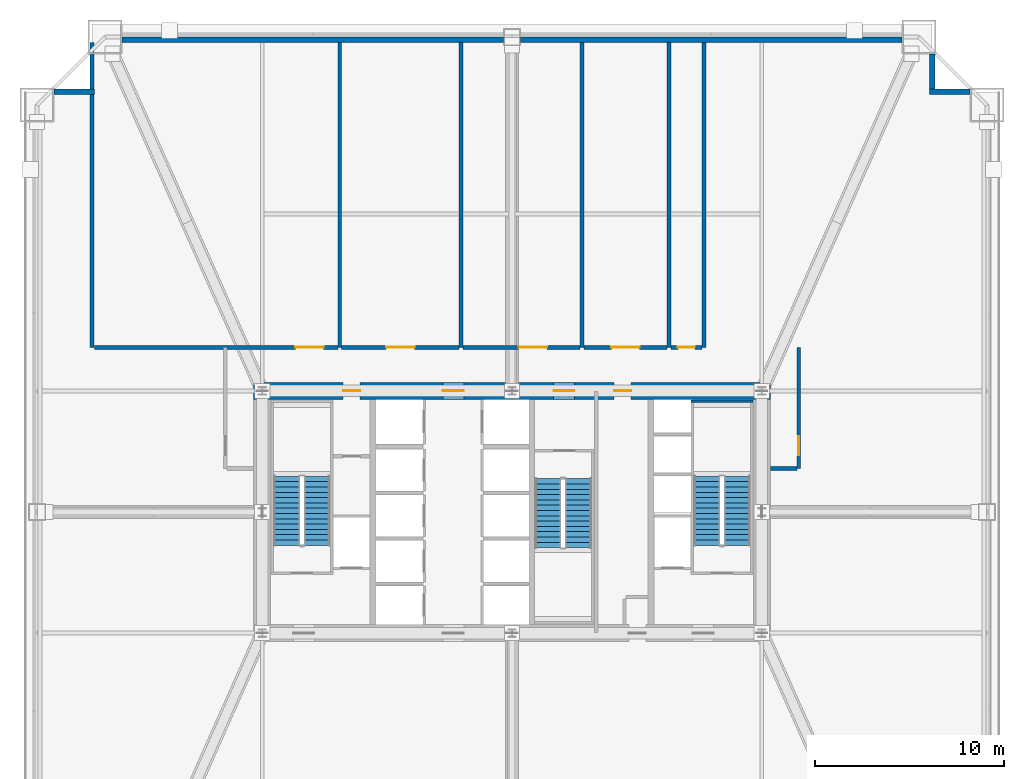
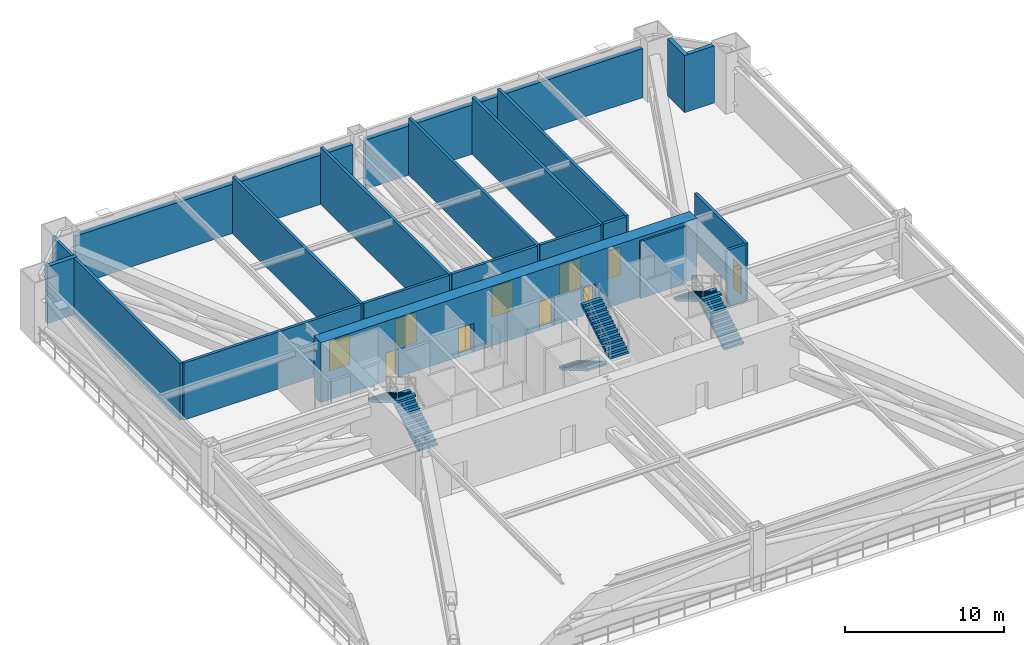
# One storey, part 6 of 11: 20 walls, 10 doors, 6 stair flights, 10 openings, 3 elements without a shape of their own.
"""IFC4 building model written with IfcOpenShell, lengths in metres."""

from ifc_helpers import new_model, si_unit, direction, frame, frame_2d, origin, place, context, subcontext, project, spatial, polyline, rectangle, outline, extrude, source, transform, mapped, material, layer, layer_set, type_object, element, fill, aggregate, save


model = new_model("IFC4")

# Units and contexts
model_context = context("Model", 3, precision=1e-05, world=origin(), true_north=direction((0.0, 1.0)))
body_context = subcontext(model_context, "Body", "Model", "MODEL_VIEW")
ifc_project = project(units=[si_unit("LENGTHUNIT", "METRE"), si_unit("AREAUNIT", "SQUARE_METRE"), si_unit("VOLUMEUNIT", "CUBIC_METRE"), si_unit("PLANEANGLEUNIT", "RADIAN"), si_unit("MASSUNIT", "GRAM", prefix="KILO"), si_unit("THERMODYNAMICTEMPERATUREUNIT", "KELVIN"), si_unit("POWERUNIT", "WATT")], contexts=[model_context])

# Site, building, storey
site_placement = place(None, origin())
site = spatial("IfcSite", under=ifc_project, at=site_placement, CompositionType="ELEMENT")
building_placement = place(site_placement, origin())
building = spatial("IfcBuilding", under=site, at=building_placement, Name="Yuzanri Waterfront Tower", CompositionType="ELEMENT")
storey_placement = place(building_placement, frame((0.0, 0.0, 41.39990234375)))
storey = spatial("IfcBuildingStorey", under=building, at=storey_placement, Name="L10", CompositionType="ELEMENT", Elevation=41.39990234375)

# Wall, openings, doors
ifc_material_1 = material(Name="Concrete C60", Category="concrete")
ifc_layer_1 = layer(ifc_material_1, 0.89990234375)
ifc_layer_set_1 = layer_set([ifc_layer_1], Name="Concrete C60")
wall_type_1 = type_object("IfcWallType", Name="Concrete C60 Lower Zone Core Shear Wall 900", PredefinedType="SHEAR", material=ifc_layer_set_1)
wall_1_placement = place(storey_placement, frame((23.35009765625, 32.199951171875, 0.0), z_axis=(0.0, 0.0, 1.0), x_axis=(1.0, 0.0, 0.0)))
wall_1 = element("IfcWall", 1, at=wall_1_placement, inside=storey, type_object=wall_type_1, Name="L10 Core North Shear Wall", PredefinedType="SHEAR", context=body_context, shape_type="SweptSolid", body=[
    extrude(rectangle(XDim=27.2998046875, YDim=0.89990234375, at=frame_2d((13.64990234375, 0.0))), origin(), (0.0, 0.0, 1.0), 4.60009765625),
])
opening_1_placement = place(wall_1_placement, frame((4.719970703125, 0.0, 0.0)))
opening_1 = element("IfcOpeningElement", 2, at=opening_1_placement, cuts=wall_1, Name="Opening FD-0900", PredefinedType="OPENING", context=body_context, shape_type="SweptSolid", body=[
    extrude(rectangle(XDim=0.89990234375, YDim=2.14990234375, at=frame_2d((0.449951171875, 1.074951171875))), frame((0.0, 0.46484375, 0.0), z_axis=(0.0, -1.0, 0.0), x_axis=(1.0, 0.0, 0.0)), (0.0, 0.0, 1.0), 0.9296875),
])
opening_2_placement = place(wall_1_placement, frame((10.0, 0.0, 0.0)))
opening_2 = element("IfcOpeningElement", 3, at=opening_2_placement, cuts=wall_1, Name="Opening FD-1100", PredefinedType="OPENING", context=body_context, shape_type="SweptSolid", body=[
    extrude(rectangle(XDim=1.10009765625, YDim=2.199951171875, at=frame_2d((0.550048828125, 1.10009765625))), frame((0.0, 0.46484375, 0.0), z_axis=(0.0, -1.0, 0.0), x_axis=(1.0, 0.0, 0.0)), (0.0, 0.0, 1.0), 0.9296875),
])
opening_3_placement = place(wall_1_placement, frame((15.85009765625, 0.0, 0.0)))
opening_3 = element("IfcOpeningElement", 4, at=opening_3_placement, cuts=wall_1, Name="Opening FD-1100", PredefinedType="OPENING", context=body_context, shape_type="SweptSolid", body=[
    extrude(rectangle(XDim=1.10009765625, YDim=2.199951171875, at=frame_2d((0.550048828125, 1.10009765625))), frame((0.0, 0.46484375, 0.0), z_axis=(0.0, -1.0, 0.0), x_axis=(1.0, 0.0, 0.0)), (0.0, 0.0, 1.0), 0.9296875),
])
opening_4_placement = place(wall_1_placement, frame((19.050048828125, 0.0, 0.0)))
opening_4 = element("IfcOpeningElement", 5, at=opening_4_placement, cuts=wall_1, Name="Opening FD-0900", PredefinedType="OPENING", context=body_context, shape_type="SweptSolid", body=[
    extrude(rectangle(XDim=0.89990234375, YDim=2.14990234375, at=frame_2d((0.449951171875, 1.074951171875))), frame((0.0, 0.46484375, 0.0), z_axis=(0.0, -1.0, 0.0), x_axis=(1.0, 0.0, 0.0)), (0.0, 0.0, 1.0), 0.9296875),
])
ifc_material_2 = material(Name="Painted Galvanized Fire Steel", Category="steel")
door_type_1 = type_object("IfcDoorType", Name="Smoke-Proof Stair and Lobby Fire Door 1100x2200", OperationType="NOTDEFINED", PredefinedType="DOOR", material=ifc_material_2)
shared_shape_1 = source(origin(), body_context, "Body", "SweptSolid", [
    extrude(rectangle(XDim=1.10009765625, YDim=2.199951171875, at=frame_2d((0.550048828125, 1.10009765625))), frame((0.0, 0.02490234375, 0.0), z_axis=(0.0, -1.0, 0.0), x_axis=(1.0, 0.0, 0.0)), (0.0, 0.0, 1.0), 0.050048828125),
])
door_1_placement = place(opening_2_placement, origin())
door_1 = element("IfcDoor", 6, at=door_1_placement, inside=storey, type_object=door_type_1, Name="L10 Central Lift Lobby North Door", OperationType="SINGLE_SWING_LEFT", OverallHeight=2.199951171875, OverallWidth=1.10009765625, PredefinedType="DOOR", context=body_context, shape_type="MappedRepresentation", body=[
    mapped(shared_shape_1, transform((0.0, 0.0, 0.0), scale=1.0)),
])
fill(opening_2, door_1)
door_2_placement = place(opening_3_placement, origin())
door_2 = element("IfcDoor", 7, at=door_2_placement, inside=storey, type_object=door_type_1, Name="L10 North Stair Lobby Door", OperationType="SINGLE_SWING_RIGHT", OverallHeight=2.199951171875, OverallWidth=1.10009765625, PredefinedType="DOOR", context=body_context, shape_type="MappedRepresentation", body=[
    mapped(shared_shape_1, transform((0.0, 0.0, 0.0), scale=1.0)),
])
fill(opening_3, door_2)
ifc_material_3 = material(Name="Painted Galvanized Fire Steel", Category="steel")
door_type_2 = type_object("IfcDoorType", Name="Riser and Service Room Fire Door 900x2150", OperationType="NOTDEFINED", PredefinedType="DOOR", material=ifc_material_3)
shared_shape_2 = source(origin(), body_context, "Body", "SweptSolid", [
    extrude(rectangle(XDim=0.89990234375, YDim=2.14990234375, at=frame_2d((0.449951171875, 1.074951171875))), frame((0.0, 0.02490234375, 0.0), z_axis=(0.0, -1.0, 0.0), x_axis=(1.0, 0.0, 0.0)), (0.0, 0.0, 1.0), 0.050048828125),
])
door_3_placement = place(opening_1_placement, origin())
door_3 = element("IfcDoor", 8, at=door_3_placement, inside=storey, type_object=door_type_2, Name="L10 Telecom Riser Door", OperationType="SINGLE_SWING_RIGHT", OverallHeight=2.14990234375, OverallWidth=0.89990234375, PredefinedType="DOOR", context=body_context, shape_type="MappedRepresentation", body=[
    mapped(shared_shape_2, transform((0.0, 0.0, 0.0), scale=1.0)),
])
fill(opening_1, door_3)
door_4_placement = place(opening_4_placement, origin())
door_4 = element("IfcDoor", 9, at=door_4_placement, inside=storey, type_object=door_type_2, Name="L10 Refuge Mechanical Equipment Store Room", OperationType="SINGLE_SWING_LEFT", OverallHeight=2.14990234375, OverallWidth=0.89990234375, PredefinedType="DOOR", context=body_context, shape_type="MappedRepresentation", body=[
    mapped(shared_shape_2, transform((0.0, 0.0, 0.0), scale=1.0)),
])
fill(opening_4, door_4)

# Wall, opening, door
ifc_material_4 = material(Name="Autoclaved Aerated Concrete Blockwork", Category="masonry")
ifc_layer_2 = layer(ifc_material_4, 0.199951171875)
ifc_layer_set_2 = layer_set([ifc_layer_2], Name="Autoclaved Aerated Concrete Blockwork")
wall_type_2 = type_object("IfcWallType", Name="Corridor and Unit Party Fire Wall 200", PredefinedType="PARTITIONING", material=ifc_layer_set_2)
wall_2_placement = place(storey_placement, frame((52.14990234375, 28.10009765625, 0.0), z_axis=(0.0, 0.0, 1.0), x_axis=(0.0, 1.0, 0.0)))
wall_2 = element("IfcWall", 10, at=wall_2_placement, inside=storey, type_object=wall_type_2, Name="L10 Partition RFW-L10-CE", PredefinedType="PARTITIONING", context=body_context, shape_type="SweptSolid", body=[
    extrude(rectangle(XDim=6.39990234375, YDim=0.199951171875, at=frame_2d((3.199951171875, 0.0))), origin(), (0.0, 0.0, 1.0), 4.380126953125),
])
opening_5_placement = place(wall_2_placement, frame((0.699951171875, 0.0, 0.0)))
opening_5 = element("IfcOpeningElement", 11, at=opening_5_placement, cuts=wall_2, Name="Opening TD-1000", PredefinedType="OPENING", context=body_context, shape_type="SweptSolid", body=[
    extrude(rectangle(XDim=1.0, YDim=2.199951171875, at=frame_2d((0.5, 1.10009765625))), frame((0.0, 0.11474609375, 0.0), z_axis=(0.0, -1.0, 0.0), x_axis=(1.0, 0.0, 0.0)), (0.0, 0.0, 1.0), 0.229736328125),
])
ifc_material_5 = material(Name="Anodized Architectural Bronze", Category="metal")
door_type_3 = type_object("IfcDoorType", Name="Anodized Bronze Refuge Deck Weatherproof Exit Door 1000x2200", OperationType="NOTDEFINED", PredefinedType="DOOR", material=ifc_material_5)
shared_shape_3 = source(origin(), body_context, "Body", "SweptSolid", [
    extrude(rectangle(XDim=1.0, YDim=2.199951171875, at=frame_2d((0.5, 1.10009765625))), frame((0.0, 0.02490234375, 0.0), z_axis=(0.0, -1.0, 0.0), x_axis=(1.0, 0.0, 0.0)), (0.0, 0.0, 1.0), 0.050048828125),
])
door_5_placement = place(opening_5_placement, origin())
door_5 = element("IfcDoor", 12, at=door_5_placement, inside=storey, type_object=door_type_3, Name="L10 East Refuge Deck Exit Door", OperationType="SINGLE_SWING_LEFT", OverallHeight=2.199951171875, OverallWidth=1.0, PredefinedType="DOOR", context=body_context, shape_type="MappedRepresentation", body=[
    mapped(shared_shape_3, transform((0.0, 0.0, 0.0), scale=1.0)),
])
fill(opening_5, door_5)

wall_3_placement = place(storey_placement, frame((14.93994140625, 34.5, 0.0), z_axis=(0.0, 0.0, 1.0), x_axis=(1.0, 0.0, 0.0)))
wall_3 = element("IfcWall", 13, at=wall_3_placement, inside=storey, type_object=wall_type_2, Name="L10 Partition RFW-L10-016-S", PredefinedType="PARTITIONING", context=body_context, shape_type="SweptSolid", body=[
    extrude(rectangle(XDim=12.860107421875, YDim=0.199951171875, at=frame_2d((6.43017578125, 0.0))), origin(), (0.0, 0.0, 1.0), 4.380126953125),
])
opening_6_placement = place(wall_3_placement, frame((10.610107421875, 0.0, 0.0)))
opening_6 = element("IfcOpeningElement", 14, at=opening_6_placement, cuts=wall_3, Name="Opening FD-1500", PredefinedType="OPENING", context=body_context, shape_type="SweptSolid", body=[
    extrude(rectangle(XDim=1.5, YDim=2.300048828125, at=frame_2d((0.75, 1.14990234375))), frame((0.0, 0.11474609375, 0.0), z_axis=(0.0, -1.0, 0.0), x_axis=(1.0, 0.0, 0.0)), (0.0, 0.0, 1.0), 0.229736328125),
])
ifc_material_6 = material(Name="Painted Galvanized Fire Steel", Category="steel")
door_type_4 = type_object("IfcDoorType", Name="Plant and Ballroom Double Fire Door 1500x2300", OperationType="NOTDEFINED", PredefinedType="DOOR", material=ifc_material_6)
shared_shape_4 = source(origin(), body_context, "Body", "SweptSolid", [
    extrude(rectangle(XDim=1.5, YDim=2.300048828125, at=frame_2d((0.75, 1.14990234375))), frame((0.0, 0.02490234375, 0.0), z_axis=(0.0, -1.0, 0.0), x_axis=(1.0, 0.0, 0.0)), (0.0, 0.0, 1.0), 0.050048828125),
])
door_6_placement = place(opening_6_placement, origin())
door_6 = element("IfcDoor", 15, at=door_6_placement, inside=storey, type_object=door_type_4, Name="L10 Air-Handling Plant Room", OperationType="DOUBLE_DOOR_SINGLE_SWING", OverallHeight=2.300048828125, OverallWidth=1.5, PredefinedType="DOOR", context=body_context, shape_type="MappedRepresentation", body=[
    mapped(shared_shape_4, transform((0.0, 0.0, 0.0), scale=1.0)),
])
fill(opening_6, door_6)

wall_4_placement = place(storey_placement, frame((28.0, 34.5, 0.0), z_axis=(0.0, 0.0, 1.0), x_axis=(1.0, 0.0, 0.0)))
wall_4 = element("IfcWall", 16, at=wall_4_placement, inside=storey, type_object=wall_type_2, Name="L10 Partition RFW-L10-017-S", PredefinedType="PARTITIONING", context=body_context, shape_type="SweptSolid", body=[
    extrude(rectangle(XDim=6.199951171875, YDim=0.199951171875, at=frame_2d((3.10009765625, 0.0))), origin(), (0.0, 0.0, 1.0), 4.380126953125),
])
opening_7_placement = place(wall_4_placement, frame((2.35009765625, 0.0, 0.0)))
opening_7 = element("IfcOpeningElement", 17, at=opening_7_placement, cuts=wall_4, Name="Opening FD-1500", PredefinedType="OPENING", context=body_context, shape_type="SweptSolid", body=[
    extrude(rectangle(XDim=1.5, YDim=2.300048828125, at=frame_2d((0.75, 1.14990234375))), frame((0.0, 0.11474609375, 0.0), z_axis=(0.0, -1.0, 0.0), x_axis=(1.0, 0.0, 0.0)), (0.0, 0.0, 1.0), 0.229736328125),
])
door_7_placement = place(opening_7_placement, origin())
door_7 = element("IfcDoor", 18, at=door_7_placement, inside=storey, type_object=door_type_4, Name="L10 Fire Booster and Transfer Pump Plant Room", OperationType="DOUBLE_DOOR_SINGLE_SWING", OverallHeight=2.300048828125, OverallWidth=1.5, PredefinedType="DOOR", context=body_context, shape_type="MappedRepresentation", body=[
    mapped(shared_shape_4, transform((0.0, 0.0, 0.0), scale=1.0)),
])
fill(opening_7, door_7)

wall_5_placement = place(storey_placement, frame((34.39990234375, 34.5, 0.0), z_axis=(0.0, 0.0, 1.0), x_axis=(1.0, 0.0, 0.0)))
wall_5 = element("IfcWall", 19, at=wall_5_placement, inside=storey, type_object=wall_type_2, Name="L10 Partition RFW-L10-018-S", PredefinedType="PARTITIONING", context=body_context, shape_type="SweptSolid", body=[
    extrude(rectangle(XDim=6.2001953125, YDim=0.199951171875, at=frame_2d((3.10009765625, 0.0))), origin(), (0.0, 0.0, 1.0), 4.380126953125),
])
opening_8_placement = place(wall_5_placement, frame((2.949951171875, 0.0, 0.0)))
opening_8 = element("IfcOpeningElement", 20, at=opening_8_placement, cuts=wall_5, Name="Opening FD-1500", PredefinedType="OPENING", context=body_context, shape_type="SweptSolid", body=[
    extrude(rectangle(XDim=1.5, YDim=2.300048828125, at=frame_2d((0.75, 1.14990234375))), frame((0.0, 0.11474609375, 0.0), z_axis=(0.0, -1.0, 0.0), x_axis=(1.0, 0.0, 0.0)), (0.0, 0.0, 1.0), 0.229736328125),
])
door_8_placement = place(opening_8_placement, origin())
door_8 = element("IfcDoor", 21, at=door_8_placement, inside=storey, type_object=door_type_4, Name="L10 Plate Heat-Exchanger Plant Room", OperationType="DOUBLE_DOOR_SINGLE_SWING", OverallHeight=2.300048828125, OverallWidth=1.5, PredefinedType="DOOR", context=body_context, shape_type="MappedRepresentation", body=[
    mapped(shared_shape_4, transform((0.0, 0.0, 0.0), scale=1.0)),
])
fill(opening_8, door_8)

wall_6_placement = place(storey_placement, frame((40.800048828125, 34.5, 0.0), z_axis=(0.0, 0.0, 1.0), x_axis=(1.0, 0.0, 0.0)))
wall_6 = element("IfcWall", 22, at=wall_6_placement, inside=storey, type_object=wall_type_2, Name="L10 Partition RFW-L10-019-S", PredefinedType="PARTITIONING", context=body_context, shape_type="SweptSolid", body=[
    extrude(rectangle(XDim=4.39990234375, YDim=0.199951171875, at=frame_2d((2.199951171875, 0.0))), origin(), (0.0, 0.0, 1.0), 4.380126953125),
])
opening_9_placement = place(wall_6_placement, frame((1.449951171875, 0.0, 0.0)))
opening_9 = element("IfcOpeningElement", 23, at=opening_9_placement, cuts=wall_6, Name="Opening FD-1500", PredefinedType="OPENING", context=body_context, shape_type="SweptSolid", body=[
    extrude(rectangle(XDim=1.5, YDim=2.300048828125, at=frame_2d((0.75, 1.14990234375))), frame((0.0, 0.11474609375, 0.0), z_axis=(0.0, -1.0, 0.0), x_axis=(1.0, 0.0, 0.0)), (0.0, 0.0, 1.0), 0.229736328125),
])
door_9_placement = place(opening_9_placement, origin())
door_9 = element("IfcDoor", 24, at=door_9_placement, inside=storey, type_object=door_type_4, Name="L10 Electrical Transformer and UPS Room", OperationType="DOUBLE_DOOR_SINGLE_SWING", OverallHeight=2.300048828125, OverallWidth=1.5, PredefinedType="DOOR", context=body_context, shape_type="MappedRepresentation", body=[
    mapped(shared_shape_4, transform((0.0, 0.0, 0.0), scale=1.0)),
])
fill(opening_9, door_9)

wall_7_placement = place(storey_placement, frame((45.39990234375, 34.5, 0.0), z_axis=(0.0, 0.0, 1.0), x_axis=(1.0, 0.0, 0.0)))
wall_7 = element("IfcWall", 25, at=wall_7_placement, inside=storey, type_object=wall_type_2, Name="L10 Partition RFW-L10-020-S", PredefinedType="PARTITIONING", context=body_context, shape_type="SweptSolid", body=[
    extrude(rectangle(XDim=1.650146484375, YDim=0.199951171875, at=frame_2d((0.8251953125, 0.0))), origin(), (0.0, 0.0, 1.0), 4.380126953125),
])
opening_10_placement = place(wall_7_placement, frame((0.3701171875, 0.0, 0.0)))
opening_10 = element("IfcOpeningElement", 26, at=opening_10_placement, cuts=wall_7, Name="Opening FD-0900", PredefinedType="OPENING", context=body_context, shape_type="SweptSolid", body=[
    extrude(rectangle(XDim=0.89990234375, YDim=2.14990234375, at=frame_2d((0.449951171875, 1.074951171875))), frame((0.0, 0.11474609375, 0.0), z_axis=(0.0, -1.0, 0.0), x_axis=(1.0, 0.0, 0.0)), (0.0, 0.0, 1.0), 0.229736328125),
])
door_10_placement = place(opening_10_placement, origin())
door_10 = element("IfcDoor", 27, at=door_10_placement, inside=storey, type_object=door_type_2, Name="L10 Refuge Accessible WC", OperationType="SINGLE_SWING_RIGHT", OverallHeight=2.14990234375, OverallWidth=0.89990234375, PredefinedType="DOOR", context=body_context, shape_type="MappedRepresentation", body=[
    mapped(shared_shape_2, transform((0.0, 0.0, 0.0), scale=1.0)),
])
fill(opening_10, door_10)

# Walls
ifc_material_7 = material(Name="Honed Chongqing Dark Basalt Stone", Category="masonry")
ifc_layer_3 = layer(ifc_material_7, 0.300048828125)
ifc_layer_set_3 = layer_set([ifc_layer_3], Name="Honed Chongqing Dark Basalt Stone")
wall_type_3 = type_object("IfcWallType", Name="Bronze Rainscreen Insulated Spandrel Portal Wall 300", PredefinedType="SOLIDWALL", material=ifc_layer_set_3)
shared_shape_5 = source(origin(), body_context, "Body", "SweptSolid", [
    extrude(rectangle(XDim=2.14990234375, YDim=0.300048828125, at=frame_2d((1.074951171875, 0.0))), origin(), (0.0, 0.0, 1.0), 4.380126953125),
])
for number, where, z_axis, x_axis, name in (
    (28, (14.949951171875, 48.0, 0.0), (0.0, 0.0, 1.0), (-1.0, 0.0, 0.0), "L10 Notched Corner Masonry Wall NW-X"),
    (29, (61.199951171875, 48.0, 0.0), (0.0, 0.0, 1.0), (-1.0, 0.0, 0.0), "L10 Notched Corner Masonry Wall NE-X"),
    (30, (59.199951171875, 47.85009765625, 0.0), (0.0, 0.0, 1.0), (0.0, 1.0, 0.0), "L10 Notched Corner Masonry Wall NE-Y"),
):
    element("IfcWall", number, at=place(storey_placement, frame(where, z_axis=z_axis, x_axis=x_axis)), inside=storey, type_object=wall_type_3, Name=name, PredefinedType="SOLIDWALL", context=body_context, shape_type="MappedRepresentation", body=[
        mapped(shared_shape_5, transform((0.0, 0.0, 0.0), scale=1.0)),
    ])
shared_shape_6 = source(origin(), body_context, "Body", "SweptSolid", [
    extrude(rectangle(XDim=20.150146484375, YDim=0.300048828125, at=frame_2d((10.0751953125, 0.0))), origin(), (0.0, 0.0, 1.0), 3.775146484375),
])
for number, where, z_axis, x_axis, name in (
    (31, (16.39990234375, 50.75, 0.0), (0.0, 0.0, 1.0), (1.0, 0.0, 0.0), "L10 Refuge Plant North-West Wall"),
    (32, (37.449951171875, 50.75, 0.0), (0.0, 0.0, 1.0), (1.0, 0.0, 0.0), "L10 Refuge Plant North-East Wall"),
):
    element("IfcWall", number, at=place(storey_placement, frame(where, z_axis=z_axis, x_axis=x_axis)), inside=storey, type_object=wall_type_3, Name=name, PredefinedType="SOLIDWALL", context=body_context, shape_type="MappedRepresentation", body=[
        mapped(shared_shape_6, transform((0.0, 0.0, 0.0), scale=1.0)),
    ])
ifc_material_8 = material(Name="Concrete C40", Category="concrete")
ifc_layer_4 = layer(ifc_material_8, 0.139892578125)
ifc_layer_set_4 = layer_set([ifc_layer_4], Name="Concrete C40")
wall_type_4 = type_object("IfcWallType", Name="Core Stair Liner and Hoistway Shaft Wall 140", PredefinedType="SOLIDWALL", material=ifc_layer_set_4)
shared_shape_7 = source(origin(), body_context, "Body", "SweptSolid", [
    extrude(rectangle(XDim=3.280029296875, YDim=0.139892578125, at=frame_2d((1.64013671875, 0.0))), origin(), (0.0, 0.0, 1.0), 4.380126953125),
])
wall_8_placement = place(storey_placement, frame((46.4599609375, 31.64990234375, 0.0), z_axis=(0.0, 0.0, 1.0), x_axis=(1.0, 0.0, 0.0)))
element("IfcWall", 33, at=wall_8_placement, inside=storey, type_object=wall_type_4, Name="L10 Stair ST-02 North Shaft Wall", PredefinedType="SOLIDWALL", context=body_context, shape_type="MappedRepresentation", body=[
    mapped(shared_shape_7, transform((0.0, 0.0, 0.0), scale=1.0)),
])
shared_shape_8 = source(origin(), body_context, "Body", "SweptSolid", [
    extrude(rectangle(XDim=16.10009765625, YDim=0.199951171875, at=frame_2d((8.050048828125, 0.0))), origin(), (0.0, 0.0, 1.0), 4.380126953125),
])
for number, where, z_axis, x_axis, name in (
    (34, (14.800048828125, 34.5, 0.0), (0.0, 0.0, 1.0), (0.0, 1.0, 0.0), "L10 Plant West Wall"),
    (35, (27.89990234375, 34.5, 0.0), (0.0, 0.0, 1.0), (0.0, 1.0, 0.0), "L10-016 Plant Demising Wall"),
    (36, (34.300048828125, 34.5, 0.0), (0.0, 0.0, 1.0), (0.0, 1.0, 0.0), "L10-017 Plant Demising Wall"),
    (37, (40.699951171875, 34.5, 0.0), (0.0, 0.0, 1.0), (0.0, 1.0, 0.0), "L10-018 Plant Demising Wall"),
    (38, (45.300048828125, 34.5, 0.0), (0.0, 0.0, 1.0), (0.0, 1.0, 0.0), "L10-019 Plant Demising Wall"),
    (39, (47.14990234375, 34.5, 0.0), (0.0, 0.0, 1.0), (0.0, 1.0, 0.0), "L10-020 Plant Demising Wall"),
):
    element("IfcWall", number, at=place(storey_placement, frame(where, z_axis=z_axis, x_axis=x_axis)), inside=storey, type_object=wall_type_2, Name=name, PredefinedType="PARTITIONING", context=body_context, shape_type="MappedRepresentation", body=[
        mapped(shared_shape_8, transform((0.0, 0.0, 0.0), scale=1.0)),
    ])
shared_shape_9 = source(origin(), body_context, "Body", "SweptSolid", [
    extrude(rectangle(XDim=1.380126953125, YDim=0.199951171875, at=frame_2d((0.68994140625, 0.0))), origin(), (0.0, 0.0, 1.0), 4.380126953125),
])
wall_9_placement = place(storey_placement, frame((50.669921875, 28.10009765625, 0.0), z_axis=(0.0, 0.0, 1.0), x_axis=(1.0, 0.0, 0.0)))
element("IfcWall", 40, at=wall_9_placement, inside=storey, type_object=wall_type_2, Name="L10 East Refuge Vestibule South Wall", PredefinedType="PARTITIONING", context=body_context, shape_type="MappedRepresentation", body=[
    mapped(shared_shape_9, transform((0.0, 0.0, 0.0), scale=1.0)),
])

# Stair, stair flights
ifc_material_9 = material(Name="Concrete C40", Category="concrete")
stair_type = type_object("IfcStairType", Name="Concrete C40 Core Dogleg Exit Stair", PredefinedType="HALF_TURN_STAIR", material=ifc_material_9)
stair_1_placement = place(storey_placement, origin())
stair_1 = element("IfcStair", 41, at=stair_1_placement, inside=storey, type_object=stair_type, Name="L10 Smoke-Proof Core Stair ST-01", PredefinedType="HALF_TURN_STAIR")
ifc_material_10 = material(Name="Concrete C40", Category="concrete")
stair_flight_type = type_object("IfcStairFlightType", Name="Concrete C40 Tall-Storey Precast Stair Flight 1380", PredefinedType="STRAIGHT", material=ifc_material_10)
shared_shape_10 = source(origin(), body_context, "Body", "SweptSolid", [
    extrude(outline(polyline([(0.0, 0.0), (0.0, 0.164306640625), (0.280029296875, 0.164306640625), (0.280029296875, 0.32861328125), (0.56005859375, 0.32861328125), (0.56005859375, 0.492919921875), (0.840087890625, 0.492919921875), (0.840087890625, 0.6572265625), (1.1201171875, 0.6572265625), (1.1201171875, 0.821533203125), (1.39990234375, 0.821533203125), (1.39990234375, 0.985595703125), (1.679931640625, 0.985595703125), (1.679931640625, 1.14990234375), (1.9599609375, 1.14990234375), (1.9599609375, 1.314208984375), (2.239990234375, 1.314208984375), (2.239990234375, 1.478515625), (2.52001953125, 1.478515625), (2.52001953125, 1.642822265625), (2.800048828125, 1.642822265625), (2.800048828125, 1.80712890625), (3.080078125, 1.80712890625), (3.080078125, 1.971435546875), (3.360107421875, 1.971435546875), (3.360107421875, 2.1357421875), (3.639892578125, 2.1357421875), (3.639892578125, 2.300048828125), (3.639892578125, 1.9619140625), (0.296142578125, 0.0), (0.0, 0.0)])), frame((0.0, 0.699951171875, 0.0), z_axis=(0.0, -1.0, 0.0), x_axis=(1.0, 0.0, 0.0)), (0.0, 0.0, 1.0), 1.39990234375),
])
stair_flight_1_placement = place(storey_placement, frame((26.699951171875, 24.0400390625, 0.0), z_axis=(0.0, 0.0, 1.0), x_axis=(0.0, 1.0, 0.0)))
stair_flight_1 = element("IfcStairFlight", 42, at=stair_flight_1_placement, type_object=stair_flight_type, Name="ST-01 flight 1", NumberOfRisers=14, NumberOfTreads=13, PredefinedType="STRAIGHT", RiserHeight=0.164285714, TreadLength=0.28, context=body_context, shape_type="MappedRepresentation", body=[
    mapped(shared_shape_10, transform((0.0, 0.0, 0.0), scale=1.0)),
])
stair_flight_2_placement = place(storey_placement, frame((25.10009765625, 27.679931640625, 2.300048828125), z_axis=(0.0, 0.0, 1.0), x_axis=(0.0, -1.0, 0.0)))
stair_flight_2 = element("IfcStairFlight", 43, at=stair_flight_2_placement, type_object=stair_flight_type, Name="ST-01 flight 2", NumberOfRisers=14, NumberOfTreads=13, PredefinedType="STRAIGHT", RiserHeight=0.164285714, TreadLength=0.28, context=body_context, shape_type="MappedRepresentation", body=[
    mapped(shared_shape_10, transform((0.0, 0.0, 0.0), scale=1.0)),
])
aggregate(stair_1, [stair_flight_1, stair_flight_2])

stair_2_placement = place(storey_placement, origin())
stair_2 = element("IfcStair", 44, at=stair_2_placement, inside=storey, type_object=stair_type, Name="L10 Smoke-Proof Core Stair ST-02", PredefinedType="HALF_TURN_STAIR")
stair_flight_3_placement = place(storey_placement, frame((48.89990234375, 24.0400390625, 0.0), z_axis=(0.0, 0.0, 1.0), x_axis=(0.0, 1.0, 0.0)))
stair_flight_3 = element("IfcStairFlight", 45, at=stair_flight_3_placement, type_object=stair_flight_type, Name="ST-02 flight 1", NumberOfRisers=14, NumberOfTreads=13, PredefinedType="STRAIGHT", RiserHeight=0.164285714, TreadLength=0.28, context=body_context, shape_type="MappedRepresentation", body=[
    mapped(shared_shape_10, transform((0.0, 0.0, 0.0), scale=1.0)),
])
stair_flight_4_placement = place(storey_placement, frame((47.300048828125, 27.679931640625, 2.300048828125), z_axis=(0.0, 0.0, 1.0), x_axis=(0.0, -1.0, 0.0)))
stair_flight_4 = element("IfcStairFlight", 46, at=stair_flight_4_placement, type_object=stair_flight_type, Name="ST-02 flight 2", NumberOfRisers=14, NumberOfTreads=13, PredefinedType="STRAIGHT", RiserHeight=0.164285714, TreadLength=0.28, context=body_context, shape_type="MappedRepresentation", body=[
    mapped(shared_shape_10, transform((0.0, 0.0, 0.0), scale=1.0)),
])
aggregate(stair_2, [stair_flight_3, stair_flight_4])

stair_3_placement = place(storey_placement, origin())
stair_3 = element("IfcStair", 47, at=stair_3_placement, inside=storey, type_object=stair_type, Name="L10 Smoke-Proof Core Stair ST-03", PredefinedType="HALF_TURN_STAIR")
stair_flight_5_placement = place(storey_placement, frame((38.89990234375, 27.56005859375, 0.0), z_axis=(0.0, 0.0, 1.0), x_axis=(0.0, -1.0, 0.0)))
stair_flight_5 = element("IfcStairFlight", 48, at=stair_flight_5_placement, type_object=stair_flight_type, Name="ST-03 flight 1", NumberOfRisers=14, NumberOfTreads=13, PredefinedType="STRAIGHT", RiserHeight=0.164285714, TreadLength=0.28, context=body_context, shape_type="MappedRepresentation", body=[
    mapped(shared_shape_10, transform((0.0, 0.0, 0.0), scale=1.0)),
])
stair_flight_6_placement = place(storey_placement, frame((40.5, 23.919921875, 2.300048828125), z_axis=(0.0, 0.0, 1.0), x_axis=(0.0, 1.0, 0.0)))
stair_flight_6 = element("IfcStairFlight", 49, at=stair_flight_6_placement, type_object=stair_flight_type, Name="ST-03 flight 2", NumberOfRisers=14, NumberOfTreads=13, PredefinedType="STRAIGHT", RiserHeight=0.164285714, TreadLength=0.28, context=body_context, shape_type="MappedRepresentation", body=[
    mapped(shared_shape_10, transform((0.0, 0.0, 0.0), scale=1.0)),
])
aggregate(stair_3, [stair_flight_5, stair_flight_6])

save(model, "model.ifc")
